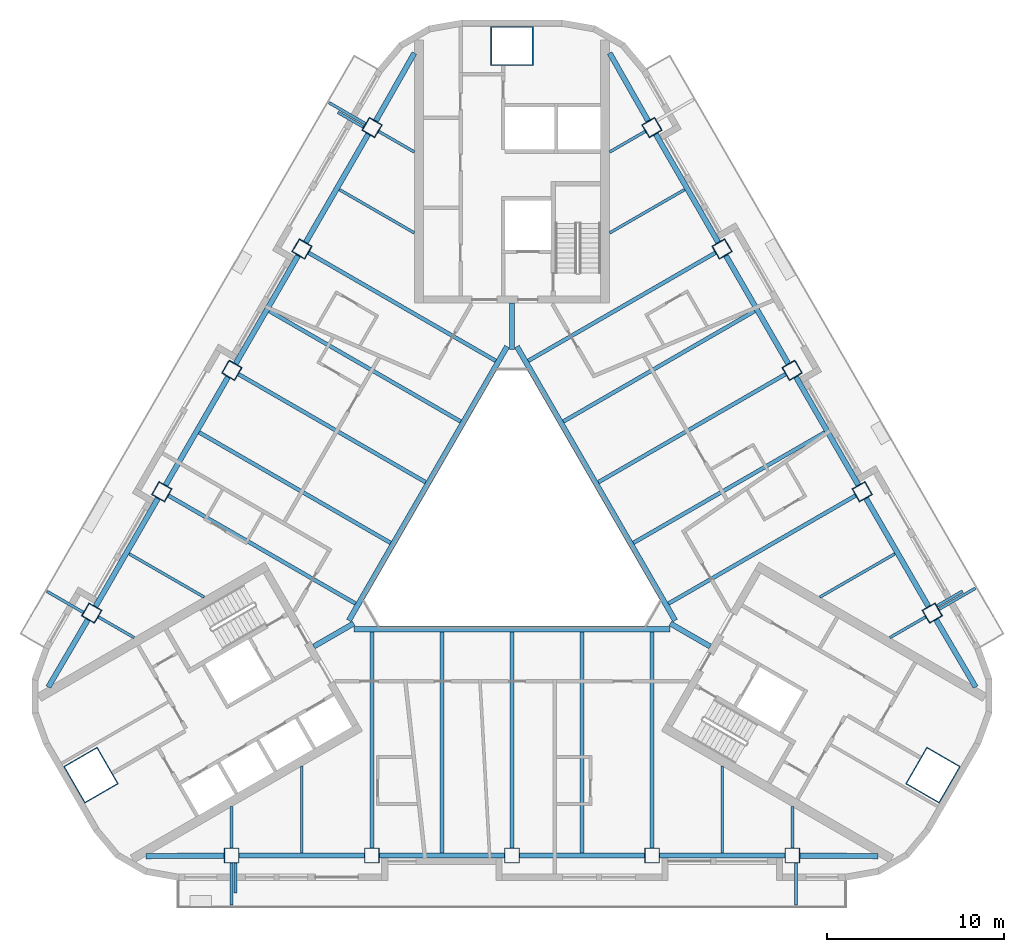
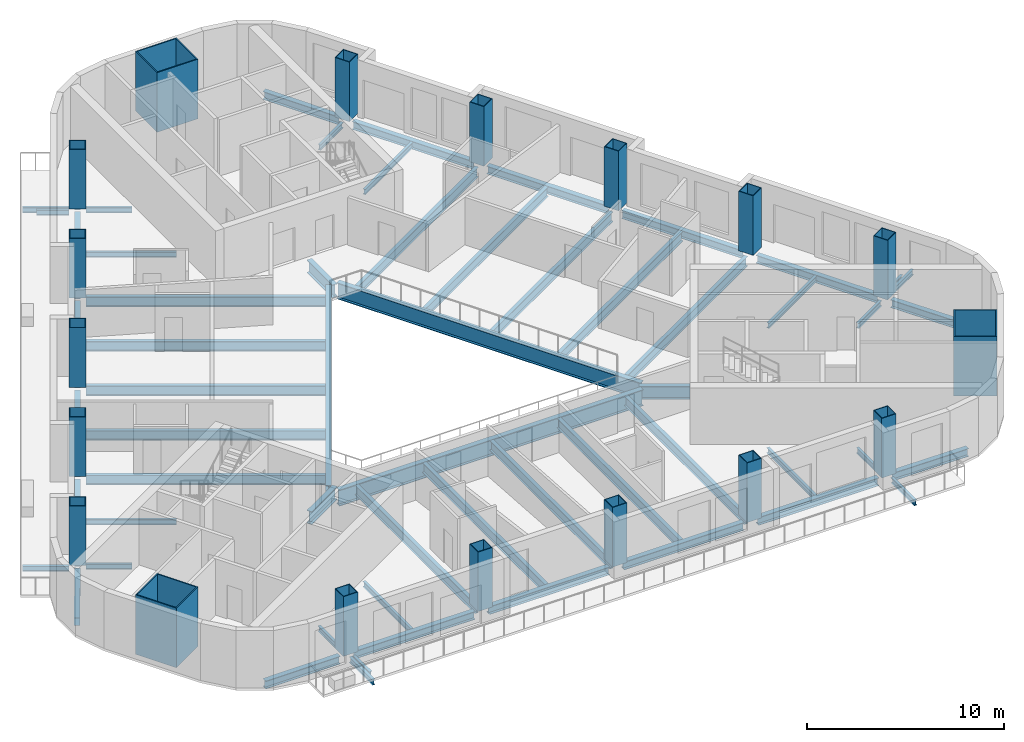
# One storey, part 1 of 13: 59 beams, 18 columns.
"""IFC4 building model written with IfcOpenShell, lengths in metres."""

from ifc_helpers import new_model, si_unit, direction, frame, origin, origin_2d, place, context, subcontext, project, spatial, rectangle, hollow_rectangle, i_section, extrude, material, material_profile, profile_set, type_object, element, save


model = new_model("IFC4")

# Units and contexts
model_context = context("Model", 3, precision=1e-05, world=origin(), true_north=direction((0.0, 1.0)))
body_context = subcontext(model_context, "Body", "Model", "MODEL_VIEW")
ifc_project = project(units=[si_unit("LENGTHUNIT", "METRE"), si_unit("AREAUNIT", "SQUARE_METRE"), si_unit("VOLUMEUNIT", "CUBIC_METRE"), si_unit("PLANEANGLEUNIT", "RADIAN"), si_unit("MASSUNIT", "GRAM", prefix="KILO")], contexts=[model_context])

# Site, building, storey
site_placement = place(None, origin())
site = spatial("IfcSite", under=ifc_project, at=site_placement, CompositionType="ELEMENT")
building_placement = place(site_placement, origin())
building = spatial("IfcBuilding", under=site, at=building_placement, Name="Apuvela Tower Hotel", CompositionType="ELEMENT")
storey_placement = place(building_placement, frame((0.0, 0.0, 165.10009765625)))
storey = spatial("IfcBuildingStorey", under=building, at=storey_placement, Name="L39", CompositionType="ELEMENT", Elevation=165.10009765625)

# Columns
ifc_material_1 = material(Name="Steel S460", Category="steel")
ifc_material_profile_1 = material_profile(ifc_material_1, hollow_rectangle(XDim=2.39990234375, YDim=2.199951171875, WallThickness=0.06005859375, at=origin_2d()), Name="BOX 2400x2200x60")
ifc_material_2 = material(Name="Concrete C80/95", Category="concrete")
ifc_material_profile_2 = material_profile(ifc_material_2, rectangle(XDim=2.280029296875, YDim=2.080078125, at=origin_2d()), Name="Concrete C80/95 infill")
ifc_profile_set_1 = profile_set([ifc_material_profile_1, ifc_material_profile_2], Name="Steel S460")
column_type_1 = type_object("IfcColumnType", Name="STR-MC mega column BOX 2400x2200x60", PredefinedType="COLUMN", material=ifc_profile_set_1)
for number, where, z_axis, x_axis, name in (
    (1, (0.0, 27.39990234375, 0.0), (0.0, 0.0, 1.0), (1.0, 0.0, 0.0), "Mega column MC3 N"),
    (2, (-23.72900390625, -13.699951171875, 0.0), (0.0, 0.0, 1.0), (-0.5, 0.866025403784, 0.0), "Mega column MC3 SW"),
    (3, (23.72900390625, -13.699951171875, 0.0), (0.0, 0.0, 1.0), (0.5, 0.866025403784, 0.0), "Mega column MC3 SE"),
):
    element("IfcColumn", number, at=place(storey_placement, frame(where, z_axis=z_axis, x_axis=x_axis)), inside=storey, type_object=column_type_1, Name=name, PredefinedType="COLUMN", context=body_context, shape_type="SweptSolid", body=[
        extrude(hollow_rectangle(XDim=2.39990234375, YDim=2.199951171875, WallThickness=0.06005859375, at=origin_2d()), origin(), (0.0, 0.0, 1.0), 3.699951171875),
    ])
ifc_material_profile_3 = material_profile(ifc_material_1, hollow_rectangle(XDim=0.85009765625, YDim=0.85009765625, WallThickness=0.0400390625, at=origin_2d()), Name="BOX 850x850x40")
ifc_material_profile_4 = material_profile(ifc_material_2, rectangle(XDim=0.77001953125, YDim=0.77001953125, at=origin_2d()), Name="Concrete C80/95 infill")
ifc_profile_set_2 = profile_set([ifc_material_profile_3, ifc_material_profile_4], Name="Steel S460")
column_type_2 = type_object("IfcColumnType", Name="STR-PC perimeter column BOX 850x850x40", PredefinedType="COLUMN", material=ifc_profile_set_2)
for number, where, z_axis, x_axis, name in (
    (4, (-15.800048828125, -18.22998046875, 0.0), (0.0, 0.0, 1.0), (-1.0, 0.0, 0.0), "Perimeter column C4 S1"),
    (5, (-7.89990234375, -18.22998046875, 0.0), (0.0, 0.0, 1.0), (-1.0, 0.0, 0.0), "Perimeter column C4 S2"),
    (6, (0.0, -18.22998046875, 0.0), (0.0, 0.0, 1.0), (-1.0, 0.0, 0.0), "Perimeter column C4 S3"),
    (7, (7.89990234375, -18.22998046875, 0.0), (0.0, 0.0, 1.0), (-1.0, 0.0, 0.0), "Perimeter column C4 S4"),
    (8, (15.800048828125, -18.22998046875, 0.0), (0.0, 0.0, 1.0), (-1.0, 0.0, 0.0), "Perimeter column C4 S5"),
    (9, (23.6875, -4.568115234375, 0.0), (0.0, 0.0, 1.0), (-0.5, 0.866025403784, 0.0), "Perimeter column C4 NE1"),
    (10, (19.737548828125, 2.2734375, 0.0), (0.0, 0.0, 1.0), (-0.5, 0.866025403784, 0.0), "Perimeter column C4 NE2"),
    (11, (15.78759765625, 9.114990234375, 0.0), (0.0, 0.0, 1.0), (-0.5, 0.866025403784, 0.0), "Perimeter column C4 NE3"),
    (12, (11.837646484375, 15.95654296875, 0.0), (0.0, 0.0, 1.0), (-0.5, 0.866025403784, 0.0), "Perimeter column C4 NE4"),
    (13, (7.8876953125, 22.798095703125, 0.0), (0.0, 0.0, 1.0), (-0.5, 0.866025403784, 0.0), "Perimeter column C4 NE5"),
    (14, (-7.8876953125, 22.798095703125, 0.0), (0.0, 0.0, 1.0), (0.5, 0.866025403784, 0.0), "Perimeter column C4 NW1"),
    (15, (-11.837646484375, 15.95654296875, 0.0), (0.0, 0.0, 1.0), (0.5, 0.866025403784, 0.0), "Perimeter column C4 NW2"),
    (16, (-15.78759765625, 9.114990234375, 0.0), (0.0, 0.0, 1.0), (0.5, 0.866025403784, 0.0), "Perimeter column C4 NW3"),
    (17, (-19.737548828125, 2.2734375, 0.0), (0.0, 0.0, 1.0), (0.5, 0.866025403784, 0.0), "Perimeter column C4 NW4"),
    (18, (-23.6875, -4.568115234375, 0.0), (0.0, 0.0, 1.0), (0.5, 0.866025403784, 0.0), "Perimeter column C4 NW5"),
):
    element("IfcColumn", number, at=place(storey_placement, frame(where, z_axis=z_axis, x_axis=x_axis)), inside=storey, type_object=column_type_2, Name=name, PredefinedType="COLUMN", context=body_context, shape_type="SweptSolid", body=[
        extrude(hollow_rectangle(XDim=0.85009765625, YDim=0.85009765625, WallThickness=0.0400390625, at=origin_2d()), origin(), (0.0, 0.0, 1.0), 3.699951171875),
    ])

# Beams
ifc_material_3 = material(Name="Steel S355", Category="steel")
ifc_material_profile_5 = material_profile(ifc_material_3, i_section(OverallWidth=0.159912109375, OverallDepth=0.330078125, WebThickness=0.007568359375, FlangeThickness=0.011474609375, at=origin_2d()), Name="IPE 330")
ifc_profile_set_3 = profile_set([ifc_material_profile_5], Name="Steel S355")
beam_type_1 = type_object("IfcBeamType", Name="ENV-BALCONY-BEAM-IPE330", PredefinedType="BEAM", material=ifc_profile_set_3)
beam_1_placement = place(storey_placement, frame((-15.800048828125, -18.655029296875, -0.315185546875), z_axis=(0.0, -1.0, 0.0), x_axis=(1.0, 0.0, 0.0)))
element("IfcBeam", 19, at=beam_1_placement, inside=storey, type_object=beam_type_1, Name="Balcony cantilever beam S1 L39", PredefinedType="BEAM", context=body_context, shape_type="SweptSolid", body=[
    extrude(i_section(OverallWidth=0.159912109375, OverallDepth=0.330078125, WebThickness=0.007568359375, FlangeThickness=0.011474609375, at=origin_2d()), origin(), (0.0, 0.0, 1.0), 2.375),
])
beam_2_placement = place(storey_placement, frame((-15.580078125, -18.655029296875, -0.315185546875), z_axis=(0.0, -1.0, 0.0), x_axis=(1.0, 0.0, 0.0)))
element("IfcBeam", 20, at=beam_2_placement, inside=storey, type_object=beam_type_1, Name="Balcony cantilever beam S2 L39", PredefinedType="BEAM", context=body_context, shape_type="SweptSolid", body=[
    extrude(i_section(OverallWidth=0.159912109375, OverallDepth=0.330078125, WebThickness=0.007568359375, FlangeThickness=0.011474609375, at=origin_2d()), origin(), (0.0, 0.0, 1.0), 1.675048828125),
])
for number, where, z_axis, x_axis, name in (
    (21, (16.0, -18.655029296875, -0.315185546875), (0.0, -1.0, 0.0), (1.0, 0.0, 0.0), "Balcony cantilever beam S3 L39"),
    (22, (24.0556640625, -4.355712890625, -0.315185546875), (0.866033238375, 0.499986429846, 0.0), (-0.499986429846, 0.866033238375, 0.0), "Balcony cantilever beam NE1 L39"),
):
    element("IfcBeam", number, at=place(storey_placement, frame(where, z_axis=z_axis, x_axis=x_axis)), inside=storey, type_object=beam_type_1, Name=name, PredefinedType="BEAM", context=body_context, shape_type="SweptSolid", body=[
        extrude(i_section(OverallWidth=0.159912109375, OverallDepth=0.330078125, WebThickness=0.007568359375, FlangeThickness=0.011474609375, at=origin_2d()), origin(), (0.0, 0.0, 1.0), 2.375),
    ])
beam_3_placement = place(storey_placement, frame((23.94580078125, -4.165283203125, -0.315185546875), z_axis=(0.865964676353, 0.500105168249, 0.0), x_axis=(-0.500105168249, 0.865964676353, 0.0)))
element("IfcBeam", 23, at=beam_3_placement, inside=storey, type_object=beam_type_1, Name="Balcony cantilever beam NE2 L39", PredefinedType="BEAM", context=body_context, shape_type="SweptSolid", body=[
    extrude(i_section(OverallWidth=0.159912109375, OverallDepth=0.330078125, WebThickness=0.007568359375, FlangeThickness=0.011474609375, at=origin_2d()), origin(), (0.0, 0.0, 1.0), 1.675048828125),
])
beam_4_placement = place(storey_placement, frame((-8.255615234375, 23.0107421875, -0.315185546875), z_axis=(-0.866033238375, 0.499986429846, 0.0), x_axis=(-0.499986429846, -0.866033238375, 0.0)))
element("IfcBeam", 24, at=beam_4_placement, inside=storey, type_object=beam_type_1, Name="Balcony cantilever beam NW1 L39", PredefinedType="BEAM", context=body_context, shape_type="SweptSolid", body=[
    extrude(i_section(OverallWidth=0.159912109375, OverallDepth=0.330078125, WebThickness=0.007568359375, FlangeThickness=0.011474609375, at=origin_2d()), origin(), (0.0, 0.0, 1.0), 2.375),
])
beam_5_placement = place(storey_placement, frame((-8.36572265625, 22.8203125, -0.315185546875), z_axis=(-0.866064234506, 0.499932737185, 0.0), x_axis=(-0.499932737185, -0.866064234506, 0.0)))
element("IfcBeam", 25, at=beam_5_placement, inside=storey, type_object=beam_type_1, Name="Balcony cantilever beam NW2 L39", PredefinedType="BEAM", context=body_context, shape_type="SweptSolid", body=[
    extrude(i_section(OverallWidth=0.159912109375, OverallDepth=0.330078125, WebThickness=0.007568359375, FlangeThickness=0.011474609375, at=origin_2d()), origin(), (0.0, 0.0, 1.0), 1.675048828125),
])
beam_6_placement = place(storey_placement, frame((-24.15576171875, -4.52880859375, -0.315185546875), z_axis=(-0.866007538022, 0.500030943131, 0.0), x_axis=(-0.500030943131, -0.866007538022, 0.0)))
element("IfcBeam", 26, at=beam_6_placement, inside=storey, type_object=beam_type_1, Name="Balcony cantilever beam NW3 L39", PredefinedType="BEAM", context=body_context, shape_type="SweptSolid", body=[
    extrude(i_section(OverallWidth=0.159912109375, OverallDepth=0.330078125, WebThickness=0.007568359375, FlangeThickness=0.011474609375, at=origin_2d()), origin(), (0.0, 0.0, 1.0), 2.374755859375),
])
ifc_material_profile_6 = material_profile(ifc_material_3, i_section(OverallWidth=0.159912109375, OverallDepth=0.330078125, WebThickness=0.007568359375, FlangeThickness=0.011474609375, at=origin_2d()), Name="IPE 330")
ifc_profile_set_4 = profile_set([ifc_material_profile_6], Name="Steel S355")
beam_type_2 = type_object("IfcBeamType", Name="STR-B floor beam IPE 330", PredefinedType="BEAM", material=ifc_profile_set_4)
beam_7_placement = place(storey_placement, frame((23.319580078125, -4.78076171875, -0.315185546875), z_axis=(-0.866018215049, -0.500012451049, 0.0), x_axis=(0.500012451049, -0.866018215049, 0.0)))
element("IfcBeam", 27, at=beam_7_placement, inside=storey, type_object=beam_type_2, Name="Floor beam B1 NE1", PredefinedType="BEAM", context=body_context, shape_type="SweptSolid", body=[
    extrude(i_section(OverallWidth=0.159912109375, OverallDepth=0.330078125, WebThickness=0.007568359375, FlangeThickness=0.011474609375, at=origin_2d()), origin(), (0.0, 0.0, 1.0), 2.33203125),
])
for number, where, z_axis, x_axis, name in (
    (28, (21.582763671875, -1.222412109375, -0.315185546875), (-0.866015056278, -0.500017921979, 0.0), (0.500017921979, -0.866015056278, 0.0), "Floor beam B1 NE2"),
    (29, (9.732666015625, 19.302490234375, -0.315185546875), (-0.866015056278, -0.500017921979, 0.0), (0.500017921979, -0.866015056278, 0.0), "Floor beam B1 NE8"),
):
    element("IfcBeam", number, at=place(storey_placement, frame(where, z_axis=z_axis, x_axis=x_axis)), inside=storey, type_object=beam_type_2, Name=name, PredefinedType="BEAM", context=body_context, shape_type="SweptSolid", body=[
        extrude(i_section(OverallWidth=0.159912109375, OverallDepth=0.330078125, WebThickness=0.007568359375, FlangeThickness=0.011474609375, at=origin_2d()), origin(), (0.0, 0.0, 1.0), 4.887451171875),
    ])
for number, where, z_axis, x_axis, name in (
    (30, (7.51953125, 22.585693359375, -0.315185546875), (-0.866018215049, -0.500012451049, 0.0), (0.500012451049, -0.866018215049, 0.0), "Floor beam B1 NE9"),
    (31, (-7.51953125, 22.585693359375, -0.315185546875), (0.866018215049, -0.500012451049, 0.0), (0.500012451049, 0.866018215049, 0.0), "Floor beam B1 NW1"),
):
    element("IfcBeam", number, at=place(storey_placement, frame(where, z_axis=z_axis, x_axis=x_axis)), inside=storey, type_object=beam_type_2, Name=name, PredefinedType="BEAM", context=body_context, shape_type="SweptSolid", body=[
        extrude(i_section(OverallWidth=0.159912109375, OverallDepth=0.330078125, WebThickness=0.007568359375, FlangeThickness=0.011474609375, at=origin_2d()), origin(), (0.0, 0.0, 1.0), 2.33203125),
    ])
for number, where, z_axis, x_axis, name in (
    (32, (-9.732666015625, 19.302490234375, -0.315185546875), (0.866015056278, -0.500017921979, 0.0), (0.500017921979, 0.866015056278, 0.0), "Floor beam B1 NW2"),
    (33, (-21.582763671875, -1.222412109375, -0.315185546875), (0.866015056278, -0.500017921979, 0.0), (0.500017921979, 0.866015056278, 0.0), "Floor beam B1 NW8"),
):
    element("IfcBeam", number, at=place(storey_placement, frame(where, z_axis=z_axis, x_axis=x_axis)), inside=storey, type_object=beam_type_2, Name=name, PredefinedType="BEAM", context=body_context, shape_type="SweptSolid", body=[
        extrude(i_section(OverallWidth=0.159912109375, OverallDepth=0.330078125, WebThickness=0.007568359375, FlangeThickness=0.011474609375, at=origin_2d()), origin(), (0.0, 0.0, 1.0), 4.887451171875),
    ])
for number, where, z_axis, x_axis, name in (
    (34, (-23.319580078125, -4.78076171875, -0.315185546875), (0.866018215049, -0.500012451049, 0.0), (0.500012451049, 0.866018215049, 0.0), "Floor beam B1 NW9"),
    (35, (-15.800048828125, -17.804931640625, -0.315185546875), (0.0, 1.0, 0.0), (-1.0, 0.0, 0.0), "Floor beam B1 S1"),
):
    element("IfcBeam", number, at=place(storey_placement, frame(where, z_axis=z_axis, x_axis=x_axis)), inside=storey, type_object=beam_type_2, Name=name, PredefinedType="BEAM", context=body_context, shape_type="SweptSolid", body=[
        extrude(i_section(OverallWidth=0.159912109375, OverallDepth=0.330078125, WebThickness=0.007568359375, FlangeThickness=0.011474609375, at=origin_2d()), origin(), (0.0, 0.0, 1.0), 2.33203125),
    ])
for number, where, z_axis, x_axis, name in (
    (36, (-11.85009765625, -18.080078125, -0.315185546875), (0.0, 1.0, 0.0), (-1.0, 0.0, 0.0), "Floor beam B1 S2"),
    (37, (11.85009765625, -18.080078125, -0.315185546875), (0.0, 1.0, 0.0), (-1.0, 0.0, 0.0), "Floor beam B1 S8"),
):
    element("IfcBeam", number, at=place(storey_placement, frame(where, z_axis=z_axis, x_axis=x_axis)), inside=storey, type_object=beam_type_2, Name=name, PredefinedType="BEAM", context=body_context, shape_type="SweptSolid", body=[
        extrude(i_section(OverallWidth=0.159912109375, OverallDepth=0.330078125, WebThickness=0.007568359375, FlangeThickness=0.011474609375, at=origin_2d()), origin(), (0.0, 0.0, 1.0), 4.8876953125),
    ])
beam_8_placement = place(storey_placement, frame((15.800048828125, -17.804931640625, -0.315185546875), z_axis=(0.0, 1.0, 0.0), x_axis=(-1.0, 0.0, 0.0)))
element("IfcBeam", 38, at=beam_8_placement, inside=storey, type_object=beam_type_2, Name="Floor beam B1 S9", PredefinedType="BEAM", context=body_context, shape_type="SweptSolid", body=[
    extrude(i_section(OverallWidth=0.159912109375, OverallDepth=0.330078125, WebThickness=0.007568359375, FlangeThickness=0.011474609375, at=origin_2d()), origin(), (0.0, 0.0, 1.0), 2.33203125),
])
ifc_material_profile_7 = material_profile(ifc_material_3, i_section(OverallWidth=0.219970703125, OverallDepth=0.60009765625, WebThickness=0.011962890625, FlangeThickness=0.01904296875, at=origin_2d()), Name="IPE 600")
ifc_profile_set_5 = profile_set([ifc_material_profile_7], Name="Steel S355")
beam_type_3 = type_object("IfcBeamType", Name="STR-B floor beam IPE 600", PredefinedType="BEAM", material=ifc_profile_set_5)
beam_9_placement = place(storey_placement, frame((19.36962890625, 2.060791015625, -0.4501953125), z_axis=(-0.866032437209, -0.499987817553, 0.0), x_axis=(0.499987817553, -0.866032437209, 0.0)))
element("IfcBeam", 39, at=beam_9_placement, inside=storey, type_object=beam_type_3, Name="Floor beam B8 NE3", PredefinedType="BEAM", context=body_context, shape_type="SweptSolid", body=[
    extrude(i_section(OverallWidth=0.219970703125, OverallDepth=0.60009765625, WebThickness=0.011962890625, FlangeThickness=0.01904296875, at=origin_2d()), origin(), (0.0, 0.0, 1.0), 12.184814453125),
])
beam_10_placement = place(storey_placement, frame((17.6328125, 5.619140625, -0.4501953125), z_axis=(-0.866027987673, -0.499995524547, 0.0), x_axis=(0.499995524547, -0.866027987673, 0.0)))
element("IfcBeam", 40, at=beam_10_placement, inside=storey, type_object=beam_type_3, Name="Floor beam B8 NE4", PredefinedType="BEAM", context=body_context, shape_type="SweptSolid", body=[
    extrude(i_section(OverallWidth=0.219970703125, OverallDepth=0.60009765625, WebThickness=0.011962890625, FlangeThickness=0.01904296875, at=origin_2d()), origin(), (0.0, 0.0, 1.0), 12.4599609375),
])
beam_11_placement = place(storey_placement, frame((15.419677734375, 8.902587890625, -0.4501953125), z_axis=(-0.8660237613, -0.500002844856, 0.0), x_axis=(0.500002844856, -0.8660237613, 0.0)))
element("IfcBeam", 41, at=beam_11_placement, inside=storey, type_object=beam_type_3, Name="Floor beam B8 NE5", PredefinedType="BEAM", context=body_context, shape_type="SweptSolid", body=[
    extrude(i_section(OverallWidth=0.219970703125, OverallDepth=0.60009765625, WebThickness=0.011962890625, FlangeThickness=0.01904296875, at=origin_2d()), origin(), (0.0, 0.0, 1.0), 12.18505859375),
])
beam_12_placement = place(storey_placement, frame((13.6826171875, 12.460693359375, -0.4501953125), z_axis=(-0.866023089177, -0.500004008996, 0.0), x_axis=(0.500004008996, -0.866023089177, 0.0)))
element("IfcBeam", 42, at=beam_12_placement, inside=storey, type_object=beam_type_3, Name="Floor beam B8 NE6", PredefinedType="BEAM", context=body_context, shape_type="SweptSolid", body=[
    extrude(i_section(OverallWidth=0.219970703125, OverallDepth=0.60009765625, WebThickness=0.011962890625, FlangeThickness=0.01904296875, at=origin_2d()), origin(), (0.0, 0.0, 1.0), 12.4599609375),
])
for number, where, z_axis, x_axis, name in (
    (43, (11.469482421875, 15.744140625, -0.4501953125), (-0.8660237613, -0.500002844856, 0.0), (0.500002844856, -0.8660237613, 0.0), "Floor beam B8 NE7"),
    (44, (-11.469482421875, 15.744140625, -0.4501953125), (0.8660237613, -0.500002844856, 0.0), (0.500002844856, 0.8660237613, 0.0), "Floor beam B8 NW3"),
):
    element("IfcBeam", number, at=place(storey_placement, frame(where, z_axis=z_axis, x_axis=x_axis)), inside=storey, type_object=beam_type_3, Name=name, PredefinedType="BEAM", context=body_context, shape_type="SweptSolid", body=[
        extrude(i_section(OverallWidth=0.219970703125, OverallDepth=0.60009765625, WebThickness=0.011962890625, FlangeThickness=0.01904296875, at=origin_2d()), origin(), (0.0, 0.0, 1.0), 12.18505859375),
    ])
beam_13_placement = place(storey_placement, frame((-13.6826171875, 12.460693359375, -0.4501953125), z_axis=(0.866023089177, -0.500004008996, 0.0), x_axis=(0.500004008996, 0.866023089177, 0.0)))
element("IfcBeam", 45, at=beam_13_placement, inside=storey, type_object=beam_type_3, Name="Floor beam B8 NW4", PredefinedType="BEAM", context=body_context, shape_type="SweptSolid", body=[
    extrude(i_section(OverallWidth=0.219970703125, OverallDepth=0.60009765625, WebThickness=0.011962890625, FlangeThickness=0.01904296875, at=origin_2d()), origin(), (0.0, 0.0, 1.0), 12.4599609375),
])
beam_14_placement = place(storey_placement, frame((-15.419677734375, 8.902587890625, -0.4501953125), z_axis=(0.8660237613, -0.500002844856, 0.0), x_axis=(0.500002844856, 0.8660237613, 0.0)))
element("IfcBeam", 46, at=beam_14_placement, inside=storey, type_object=beam_type_3, Name="Floor beam B8 NW5", PredefinedType="BEAM", context=body_context, shape_type="SweptSolid", body=[
    extrude(i_section(OverallWidth=0.219970703125, OverallDepth=0.60009765625, WebThickness=0.011962890625, FlangeThickness=0.01904296875, at=origin_2d()), origin(), (0.0, 0.0, 1.0), 12.18505859375),
])
beam_15_placement = place(storey_placement, frame((-17.6328125, 5.619140625, -0.4501953125), z_axis=(0.866027987673, -0.499995524547, 0.0), x_axis=(0.499995524547, 0.866027987673, 0.0)))
element("IfcBeam", 47, at=beam_15_placement, inside=storey, type_object=beam_type_3, Name="Floor beam B8 NW6", PredefinedType="BEAM", context=body_context, shape_type="SweptSolid", body=[
    extrude(i_section(OverallWidth=0.219970703125, OverallDepth=0.60009765625, WebThickness=0.011962890625, FlangeThickness=0.01904296875, at=origin_2d()), origin(), (0.0, 0.0, 1.0), 12.4599609375),
])
for number, where, z_axis, x_axis, name in (
    (48, (-19.36962890625, 2.060791015625, -0.4501953125), (0.866032437209, -0.499987817553, 0.0), (0.499987817553, 0.866032437209, 0.0), "Floor beam B8 NW7"),
    (49, (-7.89990234375, -17.804931640625, -0.4501953125), (0.0, 1.0, 0.0), (-1.0, 0.0, 0.0), "Floor beam B8 S3"),
):
    element("IfcBeam", number, at=place(storey_placement, frame(where, z_axis=z_axis, x_axis=x_axis)), inside=storey, type_object=beam_type_3, Name=name, PredefinedType="BEAM", context=body_context, shape_type="SweptSolid", body=[
        extrude(i_section(OverallWidth=0.219970703125, OverallDepth=0.60009765625, WebThickness=0.011962890625, FlangeThickness=0.01904296875, at=origin_2d()), origin(), (0.0, 0.0, 1.0), 12.184814453125),
    ])
beam_16_placement = place(storey_placement, frame((-3.949951171875, -18.080078125, -0.4501953125), z_axis=(0.0, 1.0, 0.0), x_axis=(-1.0, 0.0, 0.0)))
element("IfcBeam", 50, at=beam_16_placement, inside=storey, type_object=beam_type_3, Name="Floor beam B8 S4", PredefinedType="BEAM", context=body_context, shape_type="SweptSolid", body=[
    extrude(i_section(OverallWidth=0.219970703125, OverallDepth=0.60009765625, WebThickness=0.011962890625, FlangeThickness=0.01904296875, at=origin_2d()), origin(), (0.0, 0.0, 1.0), 12.4599609375),
])
beam_17_placement = place(storey_placement, frame((0.0, -17.804931640625, -0.4501953125), z_axis=(0.0, 1.0, 0.0), x_axis=(-1.0, 0.0, 0.0)))
element("IfcBeam", 51, at=beam_17_placement, inside=storey, type_object=beam_type_3, Name="Floor beam B8 S5", PredefinedType="BEAM", context=body_context, shape_type="SweptSolid", body=[
    extrude(i_section(OverallWidth=0.219970703125, OverallDepth=0.60009765625, WebThickness=0.011962890625, FlangeThickness=0.01904296875, at=origin_2d()), origin(), (0.0, 0.0, 1.0), 12.184814453125),
])
beam_18_placement = place(storey_placement, frame((3.949951171875, -18.080078125, -0.4501953125), z_axis=(0.0, 1.0, 0.0), x_axis=(-1.0, 0.0, 0.0)))
element("IfcBeam", 52, at=beam_18_placement, inside=storey, type_object=beam_type_3, Name="Floor beam B8 S6", PredefinedType="BEAM", context=body_context, shape_type="SweptSolid", body=[
    extrude(i_section(OverallWidth=0.219970703125, OverallDepth=0.60009765625, WebThickness=0.011962890625, FlangeThickness=0.01904296875, at=origin_2d()), origin(), (0.0, 0.0, 1.0), 12.4599609375),
])
beam_19_placement = place(storey_placement, frame((7.89990234375, -17.804931640625, -0.4501953125), z_axis=(0.0, 1.0, 0.0), x_axis=(-1.0, 0.0, 0.0)))
element("IfcBeam", 53, at=beam_19_placement, inside=storey, type_object=beam_type_3, Name="Floor beam B8 S7", PredefinedType="BEAM", context=body_context, shape_type="SweptSolid", body=[
    extrude(i_section(OverallWidth=0.219970703125, OverallDepth=0.60009765625, WebThickness=0.011962890625, FlangeThickness=0.01904296875, at=origin_2d()), origin(), (0.0, 0.0, 1.0), 12.184814453125),
])
ifc_material_profile_8 = material_profile(ifc_material_3, i_section(OverallWidth=0.300048828125, OverallDepth=1.0, WebThickness=0.01904296875, FlangeThickness=0.035888671875, at=origin_2d()), Name="HE 1000 B")
ifc_profile_set_6 = profile_set([ifc_material_profile_8], Name="Steel S355")
beam_type_4 = type_object("IfcBeamType", Name="STR-G atrium ring girder HE 1000 B", PredefinedType="BEAM", material=ifc_profile_set_6)
beam_20_placement = place(storey_placement, frame((-0.27978515625, 10.455078125, -0.650146484375), z_axis=(-0.500006541319, -0.866021627119, 0.0), x_axis=(0.866021627119, -0.500006541319, 0.0)))
element("IfcBeam", 54, at=beam_20_placement, inside=storey, type_object=beam_type_4, Name="Atrium ring girder G2 N-SW", PredefinedType="BEAM", context=body_context, shape_type="SweptSolid", body=[
    extrude(i_section(OverallWidth=0.300048828125, OverallDepth=1.0, WebThickness=0.01904296875, FlangeThickness=0.035888671875, at=origin_2d()), origin(), (0.0, 0.0, 1.0), 17.828857421875),
])
beam_21_placement = place(storey_placement, frame((-8.91455078125, -5.469970703125, -0.650146484375), z_axis=(1.0, 0.0, 0.0), x_axis=(0.0, 1.0, 0.0)))
element("IfcBeam", 55, at=beam_21_placement, inside=storey, type_object=beam_type_4, Name="Atrium ring girder G2 SW-SE", PredefinedType="BEAM", context=body_context, shape_type="SweptSolid", body=[
    extrude(i_section(OverallWidth=0.300048828125, OverallDepth=1.0, WebThickness=0.01904296875, FlangeThickness=0.035888671875, at=origin_2d()), origin(), (0.0, 0.0, 1.0), 17.8291015625),
])
beam_22_placement = place(storey_placement, frame((9.1943359375, -4.985107421875, -0.650146484375), z_axis=(-0.500006541319, 0.866021627119, 0.0), x_axis=(-0.866021627119, -0.500006541319, 0.0)))
element("IfcBeam", 56, at=beam_22_placement, inside=storey, type_object=beam_type_4, Name="Atrium ring girder G2 SE-N", PredefinedType="BEAM", context=body_context, shape_type="SweptSolid", body=[
    extrude(i_section(OverallWidth=0.300048828125, OverallDepth=1.0, WebThickness=0.01904296875, FlangeThickness=0.035888671875, at=origin_2d()), origin(), (0.0, 0.0, 1.0), 17.828857421875),
])
ifc_material_profile_9 = material_profile(ifc_material_3, i_section(OverallWidth=0.300048828125, OverallDepth=0.800048828125, WebThickness=0.017578125, FlangeThickness=0.032958984375, at=origin_2d()), Name="HE 800 B")
ifc_profile_set_7 = profile_set([ifc_material_profile_9], Name="Steel S355")
beam_type_5 = type_object("IfcBeamType", Name="STR-GT core tie beam HE 800 B", PredefinedType="BEAM", material=ifc_profile_set_7)
for number, where, z_axis, x_axis, name in (
    (57, (0.0, 12.89990234375, -0.550048828125), (0.0, -1.0, 0.0), (1.0, 0.0, 0.0), "Core tie beam GT1 N"),
    (58, (-11.171630859375, -6.449951171875, -0.550048828125), (0.865997922154, 0.500047596559, 0.0), (-0.500047596559, 0.865997922154, 0.0), "Core tie beam GT1 SW"),
    (59, (11.171630859375, -6.449951171875, -0.550048828125), (-0.865997922154, 0.500047596559, 0.0), (-0.500047596559, -0.865997922154, 0.0), "Core tie beam GT1 SE"),
):
    element("IfcBeam", number, at=place(storey_placement, frame(where, z_axis=z_axis, x_axis=x_axis)), inside=storey, type_object=beam_type_5, Name=name, PredefinedType="BEAM", context=body_context, shape_type="SweptSolid", body=[
        extrude(i_section(OverallWidth=0.300048828125, OverallDepth=0.800048828125, WebThickness=0.017578125, FlangeThickness=0.032958984375, at=origin_2d()), origin(), (0.0, 0.0, 1.0), 2.599853515625),
    ])
ifc_material_profile_10 = material_profile(ifc_material_3, i_section(OverallWidth=0.300048828125, OverallDepth=0.489990234375, WebThickness=0.011962890625, FlangeThickness=0.02294921875, at=origin_2d()), Name="HE 500 A")
ifc_profile_set_8 = profile_set([ifc_material_profile_10], Name="Steel S355")
beam_type_6 = type_object("IfcBeamType", Name="STR-SB spandrel beam HE 500 A", PredefinedType="SPANDREL", material=ifc_profile_set_8)
for number, where, z_axis, x_axis, name in (
    (60, (-15.375, -18.22998046875, -0.39501953125), (1.0, 0.0, 0.0), (0.0, 1.0, 0.0), "Spandrel beam SB3 S1"),
    (61, (-7.47509765625, -18.22998046875, -0.39501953125), (1.0, 0.0, 0.0), (0.0, 1.0, 0.0), "Spandrel beam SB3 S2"),
    (62, (0.425048828125, -18.22998046875, -0.39501953125), (1.0, 0.0, 0.0), (0.0, 1.0, 0.0), "Spandrel beam SB3 S3"),
    (63, (8.324951171875, -18.22998046875, -0.39501953125), (1.0, 0.0, 0.0), (0.0, 1.0, 0.0), "Spandrel beam SB3 S4"),
    (64, (23.47509765625, -4.2001953125, -0.39501953125), (-0.499990246421, 0.866031034943, 0.0), (-0.866031034943, -0.499990246421, 0.0), "Spandrel beam SB3 NE1"),
):
    element("IfcBeam", number, at=place(storey_placement, frame(where, z_axis=z_axis, x_axis=x_axis)), inside=storey, type_object=beam_type_6, Name=name, PredefinedType="SPANDREL", context=body_context, shape_type="SweptSolid", body=[
        extrude(i_section(OverallWidth=0.300048828125, OverallDepth=0.489990234375, WebThickness=0.011962890625, FlangeThickness=0.02294921875, at=origin_2d()), origin(), (0.0, 0.0, 1.0), 7.050048828125),
    ])
for number, where, z_axis, x_axis, name in (
    (65, (19.525146484375, 2.6416015625, -0.39501953125), (-0.500031214443, 0.866007381368, 0.0), (-0.866007381368, -0.500031214443, 0.0), "Spandrel beam SB3 NE2"),
    (66, (15.5751953125, 9.483154296875, -0.39501953125), (-0.500031214443, 0.866007381368, 0.0), (-0.866007381368, -0.500031214443, 0.0), "Spandrel beam SB3 NE3"),
):
    element("IfcBeam", number, at=place(storey_placement, frame(where, z_axis=z_axis, x_axis=x_axis)), inside=storey, type_object=beam_type_6, Name=name, PredefinedType="SPANDREL", context=body_context, shape_type="SweptSolid", body=[
        extrude(i_section(OverallWidth=0.300048828125, OverallDepth=0.489990234375, WebThickness=0.011962890625, FlangeThickness=0.02294921875, at=origin_2d()), origin(), (0.0, 0.0, 1.0), 7.0498046875),
    ])
for number, where, z_axis, x_axis, name in (
    (67, (11.625, 16.32470703125, -0.39501953125), (-0.499990246421, 0.866031034943, 0.0), (-0.866031034943, -0.499990246421, 0.0), "Spandrel beam SB3 NE4"),
    (68, (-8.10009765625, 22.43017578125, -0.39501953125), (-0.499990246421, -0.866031034943, 0.0), (0.866031034943, -0.499990246421, 0.0), "Spandrel beam SB3 NW1"),
):
    element("IfcBeam", number, at=place(storey_placement, frame(where, z_axis=z_axis, x_axis=x_axis)), inside=storey, type_object=beam_type_6, Name=name, PredefinedType="SPANDREL", context=body_context, shape_type="SweptSolid", body=[
        extrude(i_section(OverallWidth=0.300048828125, OverallDepth=0.489990234375, WebThickness=0.011962890625, FlangeThickness=0.02294921875, at=origin_2d()), origin(), (0.0, 0.0, 1.0), 7.050048828125),
    ])
for number, where, z_axis, x_axis, name in (
    (69, (-12.050048828125, 15.58837890625, -0.39501953125), (-0.500031214443, -0.866007381368, 0.0), (0.866007381368, -0.500031214443, 0.0), "Spandrel beam SB3 NW2"),
    (70, (-16.0, 8.746826171875, -0.39501953125), (-0.500031214443, -0.866007381368, 0.0), (0.866007381368, -0.500031214443, 0.0), "Spandrel beam SB3 NW3"),
):
    element("IfcBeam", number, at=place(storey_placement, frame(where, z_axis=z_axis, x_axis=x_axis)), inside=storey, type_object=beam_type_6, Name=name, PredefinedType="SPANDREL", context=body_context, shape_type="SweptSolid", body=[
        extrude(i_section(OverallWidth=0.300048828125, OverallDepth=0.489990234375, WebThickness=0.011962890625, FlangeThickness=0.02294921875, at=origin_2d()), origin(), (0.0, 0.0, 1.0), 7.0498046875),
    ])
beam_23_placement = place(storey_placement, frame((-19.9501953125, 1.9052734375, -0.39501953125), z_axis=(-0.499990246421, -0.866031034943, 0.0), x_axis=(0.866031034943, -0.499990246421, 0.0)))
element("IfcBeam", 71, at=beam_23_placement, inside=storey, type_object=beam_type_6, Name="Spandrel beam SB3 NW4", PredefinedType="SPANDREL", context=body_context, shape_type="SweptSolid", body=[
    extrude(i_section(OverallWidth=0.300048828125, OverallDepth=0.489990234375, WebThickness=0.011962890625, FlangeThickness=0.02294921875, at=origin_2d()), origin(), (0.0, 0.0, 1.0), 7.050048828125),
])
for number, where, z_axis, x_axis, name in (
    (72, (-16.22509765625, -18.23291015625, -0.39501953125), (-0.999976414172, -0.006868122043, 0.0), (0.006868122043, -0.999976414172, 0.0), "Spandrel beam SB3 S1-SW"),
    (73, (16.22509765625, -18.23291015625, -0.39501953125), (0.999976414172, -0.006868122043, 0.0), (0.006868122043, 0.999976414172, 0.0), "Spandrel beam SB3 S5-SE"),
):
    element("IfcBeam", number, at=place(storey_placement, frame(where, z_axis=z_axis, x_axis=x_axis)), inside=storey, type_object=beam_type_6, Name=name, PredefinedType="SPANDREL", context=body_context, shape_type="SweptSolid", body=[
        extrude(i_section(OverallWidth=0.300048828125, OverallDepth=0.489990234375, WebThickness=0.011962890625, FlangeThickness=0.02294921875, at=origin_2d()), origin(), (0.0, 0.0, 1.0), 4.40771484375),
    ])
beam_24_placement = place(storey_placement, frame((23.902587890625, -4.934814453125, -0.39501953125), z_axis=(0.505966812052, -0.86255294626, 0.0), x_axis=(0.86255294626, 0.505966812052, 0.0)))
element("IfcBeam", 74, at=beam_24_placement, inside=storey, type_object=beam_type_6, Name="Spandrel beam SB3 NE1-SE", PredefinedType="SPANDREL", context=body_context, shape_type="SweptSolid", body=[
    extrude(i_section(OverallWidth=0.300048828125, OverallDepth=0.489990234375, WebThickness=0.011962890625, FlangeThickness=0.02294921875, at=origin_2d()), origin(), (0.0, 0.0, 1.0), 4.407958984375),
])
for number, where, z_axis, x_axis, name in (
    (75, (7.677734375, 23.167724609375, -0.39501953125), (-0.494061745322, 0.869426817972, 0.0), (-0.869426817972, -0.494061745322, 0.0), "Spandrel beam SB3 NE5-N"),
    (76, (-7.677734375, 23.167724609375, -0.39501953125), (0.494061745322, 0.869426817972, 0.0), (-0.869426817972, 0.494061745322, 0.0), "Spandrel beam SB3 NW1-N"),
):
    element("IfcBeam", number, at=place(storey_placement, frame(where, z_axis=z_axis, x_axis=x_axis)), inside=storey, type_object=beam_type_6, Name=name, PredefinedType="SPANDREL", context=body_context, shape_type="SweptSolid", body=[
        extrude(i_section(OverallWidth=0.300048828125, OverallDepth=0.489990234375, WebThickness=0.011962890625, FlangeThickness=0.02294921875, at=origin_2d()), origin(), (0.0, 0.0, 1.0), 4.40771484375),
    ])
beam_25_placement = place(storey_placement, frame((-23.902587890625, -4.934814453125, -0.39501953125), z_axis=(-0.505966812052, -0.86255294626, 0.0), x_axis=(0.86255294626, -0.505966812052, 0.0)))
element("IfcBeam", 77, at=beam_25_placement, inside=storey, type_object=beam_type_6, Name="Spandrel beam SB3 NW5-SW", PredefinedType="SPANDREL", context=body_context, shape_type="SweptSolid", body=[
    extrude(i_section(OverallWidth=0.300048828125, OverallDepth=0.489990234375, WebThickness=0.011962890625, FlangeThickness=0.02294921875, at=origin_2d()), origin(), (0.0, 0.0, 1.0), 4.407958984375),
])

save(model, "model.ifc")
